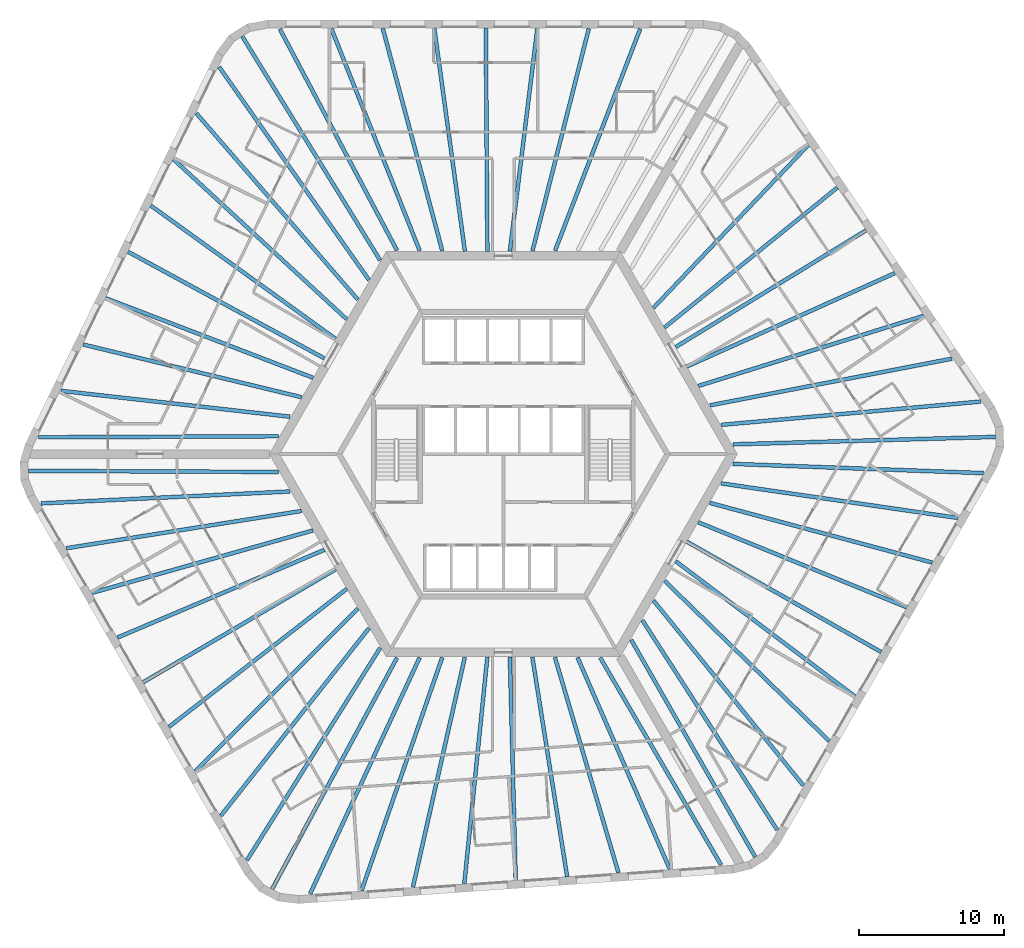
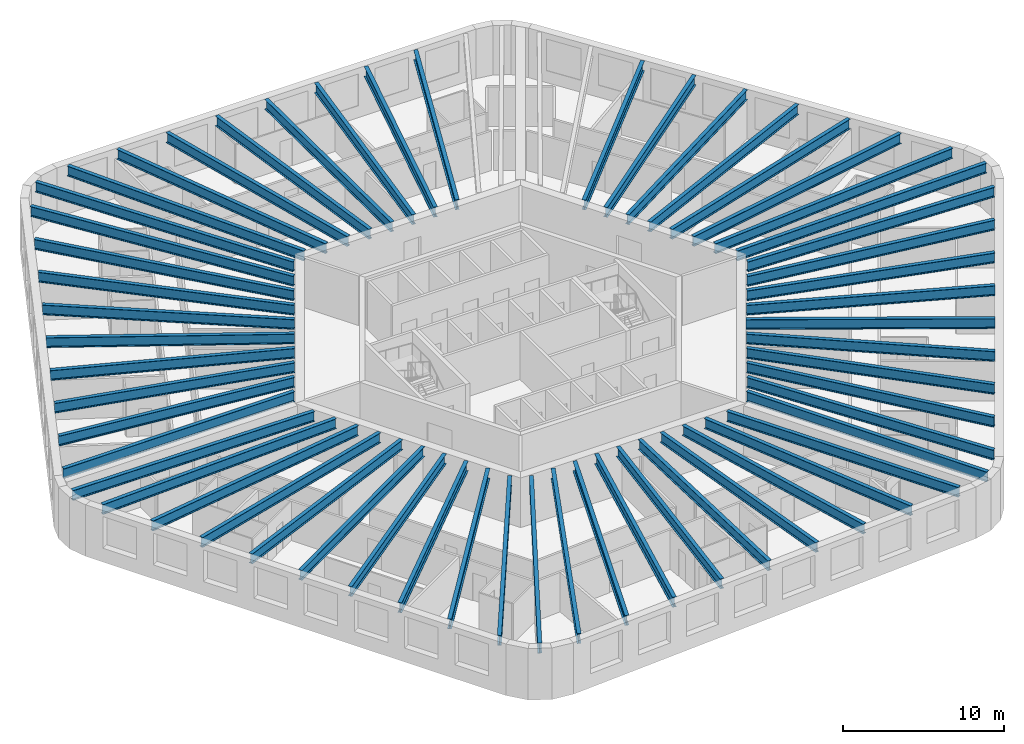
# One storey, part 1 of 11: 56 beams.
"""IFC4 building model written with IfcOpenShell, lengths in metres."""

from ifc_helpers import new_model, si_unit, direction, frame, origin, origin_2d, place, context, subcontext, project, spatial, i_section, extrude, material, material_profile, profile_set, type_object, element, save


model = new_model("IFC4")

# Units and contexts
model_context = context("Model", 3, precision=1e-05, world=origin(), true_north=direction((0.0, 1.0)))
body_context = subcontext(model_context, "Body", "Model", "MODEL_VIEW")
ifc_project = project(units=[si_unit("LENGTHUNIT", "METRE"), si_unit("AREAUNIT", "SQUARE_METRE"), si_unit("VOLUMEUNIT", "CUBIC_METRE"), si_unit("PLANEANGLEUNIT", "RADIAN"), si_unit("MASSUNIT", "GRAM", prefix="KILO")], contexts=[model_context])

# Site, building, storey
site_placement = place(None, origin())
site = spatial("IfcSite", under=ifc_project, at=site_placement, CompositionType="ELEMENT")
building_placement = place(site_placement, origin())
building = spatial("IfcBuilding", under=site, at=building_placement, Name="Tarnside Tower", CompositionType="ELEMENT")
storey_placement = place(building_placement, frame((0.0, 0.0, 107.699951171875)))
storey = spatial("IfcBuildingStorey", under=building, at=storey_placement, Name="L24", CompositionType="ELEMENT", Elevation=107.699951171875)

# Beams
ifc_material = material(Name="Steel S355", Category="steel")
ifc_material_profile_1 = material_profile(ifc_material, i_section(OverallWidth=0.26513671875, OverallDepth=0.75390625, WebThickness=0.0126953125, FlangeThickness=0.017578125, FilletRadius=0.0166015625, at=origin_2d()), Name="UB 762x267x147")
ifc_profile_set_1 = profile_set([ifc_material_profile_1], Name="Steel S355")
beam_type_1 = type_object("IfcBeamType", Name="Floor beam UB 762x267x147", PredefinedType="BEAM", material=ifc_profile_set_1)
beam_1_placement = place(storey_placement, frame((2.3525390625, 29.43017578125, 3.373046875), z_axis=(-0.122329629165, -0.992489527314, 0.0), x_axis=(0.992489527314, -0.122329629165, 0.0)))
element("IfcBeam", 1, at=beam_1_placement, inside=storey, type_object=beam_type_1, Name="Floor beam F1.04", PredefinedType="BEAM", context=body_context, shape_type="SweptSolid", body=[
    extrude(i_section(OverallWidth=0.26513671875, OverallDepth=0.75390625, WebThickness=0.0126953125, FlangeThickness=0.017578125, FilletRadius=0.0166015625, at=origin_2d()), origin(), (0.0, 0.0, 1.0), 15.527099609375),
])
beam_2_placement = place(storey_placement, frame((-1.208984375, 29.449951171875, 3.373046875), z_axis=(0.007000128723, -0.999975498799, 0.0), x_axis=(0.999975498799, 0.007000128723, 0.0)))
element("IfcBeam", 2, at=beam_2_placement, inside=storey, type_object=beam_type_1, Name="Floor beam F1.05", PredefinedType="BEAM", context=body_context, shape_type="SweptSolid", body=[
    extrude(i_section(OverallWidth=0.26513671875, OverallDepth=0.75390625, WebThickness=0.0126953125, FlangeThickness=0.017578125, FilletRadius=0.0166015625, at=origin_2d()), origin(), (0.0, 0.0, 1.0), 15.450439453125),
])
beam_3_placement = place(storey_placement, frame((-4.7705078125, 29.43017578125, 3.373046875), z_axis=(0.136000560933, -0.990708760144, 0.0), x_axis=(0.990708760144, 0.136000560933, 0.0)))
element("IfcBeam", 3, at=beam_3_placement, inside=storey, type_object=beam_type_1, Name="Floor beam F1.06", PredefinedType="BEAM", context=body_context, shape_type="SweptSolid", body=[
    extrude(i_section(OverallWidth=0.26513671875, OverallDepth=0.75390625, WebThickness=0.0126953125, FlangeThickness=0.017578125, FilletRadius=0.0166015625, at=origin_2d()), origin(), (0.0, 0.0, 1.0), 15.554931640625),
])
beam_4_placement = place(storey_placement, frame((-24.348876953125, 17.168212890625, 3.373046875), z_axis=(0.811027744825, -0.585007689799, 0.0), x_axis=(0.585007689799, 0.811027744825, 0.0)))
element("IfcBeam", 4, at=beam_4_placement, inside=storey, type_object=beam_type_1, Name="Floor beam F2.04", PredefinedType="BEAM", context=body_context, shape_type="SweptSolid", body=[
    extrude(i_section(OverallWidth=0.26513671875, OverallDepth=0.75390625, WebThickness=0.0126953125, FlangeThickness=0.017578125, FilletRadius=0.0166015625, at=origin_2d()), origin(), (0.0, 0.0, 1.0), 15.731689453125),
])
beam_5_placement = place(storey_placement, frame((-25.92626953125, 13.978271484375, 3.373046875), z_axis=(0.878894567679, -0.477016078245, 0.0), x_axis=(0.477016078245, 0.878894567679, 0.0)))
element("IfcBeam", 5, at=beam_5_placement, inside=storey, type_object=beam_type_1, Name="Floor beam F2.05", PredefinedType="BEAM", context=body_context, shape_type="SweptSolid", body=[
    extrude(i_section(OverallWidth=0.26513671875, OverallDepth=0.75390625, WebThickness=0.0126953125, FlangeThickness=0.017578125, FilletRadius=0.0166015625, at=origin_2d()), origin(), (0.0, 0.0, 1.0), 15.427490234375),
])
beam_6_placement = place(storey_placement, frame((-27.487548828125, 10.77734375, 3.373046875), z_axis=(0.933617702452, -0.358270827264, 0.0), x_axis=(0.358270827264, 0.933617702452, 0.0)))
element("IfcBeam", 6, at=beam_6_placement, inside=storey, type_object=beam_type_1, Name="Floor beam F2.06", PredefinedType="BEAM", context=body_context, shape_type="SweptSolid", body=[
    extrude(i_section(OverallWidth=0.26513671875, OverallDepth=0.75390625, WebThickness=0.0126953125, FlangeThickness=0.017578125, FilletRadius=0.0166015625, at=origin_2d()), origin(), (0.0, 0.0, 1.0), 15.363037109375),
])
beam_7_placement = place(storey_placement, frame((-29.029296875, 7.572509765625, 3.373046875), z_axis=(0.972101750991, -0.234559556873, 0.0), x_axis=(0.234559556873, 0.972101750991, 0.0)))
element("IfcBeam", 7, at=beam_7_placement, inside=storey, type_object=beam_type_1, Name="Floor beam F2.07", PredefinedType="BEAM", context=body_context, shape_type="SweptSolid", body=[
    extrude(i_section(OverallWidth=0.26513671875, OverallDepth=0.75390625, WebThickness=0.0126953125, FlangeThickness=0.017578125, FilletRadius=0.0166015625, at=origin_2d()), origin(), (0.0, 0.0, 1.0), 15.522216796875),
])
beam_8_placement = place(storey_placement, frame((-26.66357421875, -12.677734375, 3.373046875), z_axis=(0.920684021494, 0.390308765679, 0.0), x_axis=(-0.390308765679, 0.920684021494, 0.0)))
element("IfcBeam", 8, at=beam_8_placement, inside=storey, type_object=beam_type_1, Name="Floor beam F3.04", PredefinedType="BEAM", context=body_context, shape_type="SweptSolid", body=[
    extrude(i_section(OverallWidth=0.26513671875, OverallDepth=0.75390625, WebThickness=0.0126953125, FlangeThickness=0.017578125, FilletRadius=0.0166015625, at=origin_2d()), origin(), (0.0, 0.0, 1.0), 15.52685546875),
])
beam_9_placement = place(storey_placement, frame((-24.89990234375, -15.772216796875, 3.373046875), z_axis=(0.862497502004, 0.506061319443, 0.0), x_axis=(-0.506061319443, 0.862497502004, 0.0)))
element("IfcBeam", 9, at=beam_9_placement, inside=storey, type_object=beam_type_1, Name="Floor beam F3.05", PredefinedType="BEAM", context=body_context, shape_type="SweptSolid", body=[
    extrude(i_section(OverallWidth=0.26513671875, OverallDepth=0.75390625, WebThickness=0.0126953125, FlangeThickness=0.017578125, FilletRadius=0.0166015625, at=origin_2d()), origin(), (0.0, 0.0, 1.0), 15.450439453125),
])
beam_10_placement = place(storey_placement, frame((-23.10205078125, -18.846435546875, 3.373046875), z_axis=(0.789983963813, 0.613127504617, 0.0), x_axis=(-0.613127504617, 0.789983963813, 0.0)))
element("IfcBeam", 10, at=beam_10_placement, inside=storey, type_object=beam_type_1, Name="Floor beam F3.06", PredefinedType="BEAM", context=body_context, shape_type="SweptSolid", body=[
    extrude(i_section(OverallWidth=0.26513671875, OverallDepth=0.75390625, WebThickness=0.0126953125, FlangeThickness=0.017578125, FilletRadius=0.0166015625, at=origin_2d()), origin(), (0.0, 0.0, 1.0), 15.554931640625),
])
beam_11_placement = place(storey_placement, frame((-2.693603515625, -29.6708984375, 3.373046875), z_axis=(0.101123115756, 0.994873919379, 0.0), x_axis=(-0.994873919379, 0.101123115756, 0.0)))
element("IfcBeam", 11, at=beam_11_placement, inside=storey, type_object=beam_type_1, Name="Floor beam F4.04", PredefinedType="BEAM", context=body_context, shape_type="SweptSolid", body=[
    extrude(i_section(OverallWidth=0.26513671875, OverallDepth=0.75390625, WebThickness=0.0126953125, FlangeThickness=0.017578125, FilletRadius=0.0166015625, at=origin_2d()), origin(), (0.0, 0.0, 1.0), 15.7314453125),
])
beam_12_placement = place(storey_placement, frame((0.857666015625, -29.44189453125, 3.373046875), z_axis=(-0.026333316788, 0.999653218085, 0.0), x_axis=(-0.999653218085, -0.026333316788, 0.0)))
element("IfcBeam", 12, at=beam_12_placement, inside=storey, type_object=beam_type_1, Name="Floor beam F4.05", PredefinedType="BEAM", context=body_context, shape_type="SweptSolid", body=[
    extrude(i_section(OverallWidth=0.26513671875, OverallDepth=0.75390625, WebThickness=0.0126953125, FlangeThickness=0.017578125, FilletRadius=0.0166015625, at=origin_2d()), origin(), (0.0, 0.0, 1.0), 15.42724609375),
])
beam_13_placement = place(storey_placement, frame((4.41015625, -29.193603515625, 3.373046875), z_axis=(-0.156513375907, 0.98767583911, 0.0), x_axis=(-0.98767583911, -0.156513375907, 0.0)))
element("IfcBeam", 13, at=beam_13_placement, inside=storey, type_object=beam_type_1, Name="Floor beam F4.06", PredefinedType="BEAM", context=body_context, shape_type="SweptSolid", body=[
    extrude(i_section(OverallWidth=0.26513671875, OverallDepth=0.75390625, WebThickness=0.0126953125, FlangeThickness=0.017578125, FilletRadius=0.0166015625, at=origin_2d()), origin(), (0.0, 0.0, 1.0), 15.36328125),
])
beam_14_placement = place(storey_placement, frame((7.956787109375, -28.926513671875, 3.373046875), z_axis=(-0.282920694328, 0.959143305623, 0.0), x_axis=(-0.959143305623, -0.282920694328, 0.0)))
element("IfcBeam", 14, at=beam_14_placement, inside=storey, type_object=beam_type_1, Name="Floor beam F4.07", PredefinedType="BEAM", context=body_context, shape_type="SweptSolid", body=[
    extrude(i_section(OverallWidth=0.26513671875, OverallDepth=0.75390625, WebThickness=0.0126953125, FlangeThickness=0.017578125, FilletRadius=0.0166015625, at=origin_2d()), origin(), (0.0, 0.0, 1.0), 15.5224609375),
])
beam_15_placement = place(storey_placement, frame((24.31103515625, -16.75244140625, 3.373046875), z_axis=(-0.798361152727, 0.602178935049, 0.0), x_axis=(-0.602178935049, -0.798361152727, 0.0)))
element("IfcBeam", 15, at=beam_15_placement, inside=storey, type_object=beam_type_1, Name="Floor beam F5.04", PredefinedType="BEAM", context=body_context, shape_type="SweptSolid", body=[
    extrude(i_section(OverallWidth=0.26513671875, OverallDepth=0.75390625, WebThickness=0.0126953125, FlangeThickness=0.017578125, FilletRadius=0.0166015625, at=origin_2d()), origin(), (0.0, 0.0, 1.0), 15.527099609375),
])
beam_16_placement = place(storey_placement, frame((26.10888671875, -13.677978515625, 3.373046875), z_axis=(-0.869502520992, 0.493928502911, 0.0), x_axis=(-0.493928502911, -0.869502520992, 0.0)))
element("IfcBeam", 16, at=beam_16_placement, inside=storey, type_object=beam_type_1, Name="Floor beam F5.05", PredefinedType="BEAM", context=body_context, shape_type="SweptSolid", body=[
    extrude(i_section(OverallWidth=0.26513671875, OverallDepth=0.75390625, WebThickness=0.0126953125, FlangeThickness=0.017578125, FilletRadius=0.0166015625, at=origin_2d()), origin(), (0.0, 0.0, 1.0), 15.4501953125),
])
beam_17_placement = place(storey_placement, frame((27.87255859375, -10.58349609375, 3.373046875), z_axis=(-0.925981621163, 0.377568586177, 0.0), x_axis=(-0.377568586177, -0.925981621163, 0.0)))
element("IfcBeam", 17, at=beam_17_placement, inside=storey, type_object=beam_type_1, Name="Floor beam F5.06", PredefinedType="BEAM", context=body_context, shape_type="SweptSolid", body=[
    extrude(i_section(OverallWidth=0.26513671875, OverallDepth=0.75390625, WebThickness=0.0126953125, FlangeThickness=0.017578125, FilletRadius=0.0166015625, at=origin_2d()), origin(), (0.0, 0.0, 1.0), 15.554931640625),
])
beam_18_placement = place(storey_placement, frame((27.04248046875, 12.502685546875, 3.373046875), z_axis=(-0.912146413919, -0.409864513681, 0.0), x_axis=(0.409864513681, -0.912146413919, 0.0)))
element("IfcBeam", 18, at=beam_18_placement, inside=storey, type_object=beam_type_1, Name="Floor beam F6.04", PredefinedType="BEAM", context=body_context, shape_type="SweptSolid", body=[
    extrude(i_section(OverallWidth=0.26513671875, OverallDepth=0.75390625, WebThickness=0.0126953125, FlangeThickness=0.017578125, FilletRadius=0.0166015625, at=origin_2d()), origin(), (0.0, 0.0, 1.0), 15.7314453125),
])
beam_19_placement = place(storey_placement, frame((25.068603515625, 15.463623046875, 3.373046875), z_axis=(-0.852558490017, -0.522631821744, 0.0), x_axis=(0.522631821744, -0.852558490017, 0.0)))
element("IfcBeam", 19, at=beam_19_placement, inside=storey, type_object=beam_type_1, Name="Floor beam F6.05", PredefinedType="BEAM", context=body_context, shape_type="SweptSolid", body=[
    extrude(i_section(OverallWidth=0.26513671875, OverallDepth=0.75390625, WebThickness=0.0126953125, FlangeThickness=0.017578125, FilletRadius=0.0166015625, at=origin_2d()), origin(), (0.0, 0.0, 1.0), 15.42724609375),
])
beam_20_placement = place(storey_placement, frame((23.0771484375, 18.416259765625, 3.373046875), z_axis=(-0.777079423039, -0.629402550272, 0.0), x_axis=(0.629402550272, -0.777079423039, 0.0)))
element("IfcBeam", 20, at=beam_20_placement, inside=storey, type_object=beam_type_1, Name="Floor beam F6.06", PredefinedType="BEAM", context=body_context, shape_type="SweptSolid", body=[
    extrude(i_section(OverallWidth=0.26513671875, OverallDepth=0.75390625, WebThickness=0.0126953125, FlangeThickness=0.017578125, FilletRadius=0.0166015625, at=origin_2d()), origin(), (0.0, 0.0, 1.0), 15.36328125),
])
beam_21_placement = place(storey_placement, frame((21.072509765625, 21.35400390625, 3.373046875), z_axis=(-0.689174694318, -0.724595225427, 0.0), x_axis=(0.724595225427, -0.689174694318, 0.0)))
element("IfcBeam", 21, at=beam_21_placement, inside=storey, type_object=beam_type_1, Name="Floor beam F6.07", PredefinedType="BEAM", context=body_context, shape_type="SweptSolid", body=[
    extrude(i_section(OverallWidth=0.26513671875, OverallDepth=0.75390625, WebThickness=0.0126953125, FlangeThickness=0.017578125, FilletRadius=0.0166015625, at=origin_2d()), origin(), (0.0, 0.0, 1.0), 15.522216796875),
])
ifc_material_profile_2 = material_profile(ifc_material, i_section(OverallWidth=0.2666015625, OverallDepth=0.76220703125, WebThickness=0.014404296875, FlangeThickness=0.021484375, FilletRadius=0.0166015625, at=origin_2d()), Name="UB 762x267x173")
ifc_profile_set_2 = profile_set([ifc_material_profile_2], Name="Steel S355")
beam_type_2 = type_object("IfcBeamType", Name="Floor beam UB 762x267x173", PredefinedType="BEAM", material=ifc_profile_set_2)
beam_22_placement = place(storey_placement, frame((9.4619140625, 29.39404296875, 3.368896484375), z_axis=(-0.358299847269, -0.933606565662, 0.0), x_axis=(0.933606565662, -0.358299847269, 0.0)))
element("IfcBeam", 22, at=beam_22_placement, inside=storey, type_object=beam_type_2, Name="Floor beam F1.02", PredefinedType="BEAM", context=body_context, shape_type="SweptSolid", body=[
    extrude(i_section(OverallWidth=0.2666015625, OverallDepth=0.76220703125, WebThickness=0.014404296875, FlangeThickness=0.021484375, FilletRadius=0.0166015625, at=origin_2d()), origin(), (0.0, 0.0, 1.0), 16.428955078125),
])
beam_23_placement = place(storey_placement, frame((5.909423828125, 29.4111328125, 3.368896484375), z_axis=(-0.245747281389, -0.969333933013, 0.0), x_axis=(0.969333933013, -0.245747281389, 0.0)))
element("IfcBeam", 23, at=beam_23_placement, inside=storey, type_object=beam_type_2, Name="Floor beam F1.03", PredefinedType="BEAM", context=body_context, shape_type="SweptSolid", body=[
    extrude(i_section(OverallWidth=0.2666015625, OverallDepth=0.76220703125, WebThickness=0.014404296875, FlangeThickness=0.021484375, FilletRadius=0.0166015625, at=origin_2d()), origin(), (0.0, 0.0, 1.0), 15.858642578125),
])
beam_24_placement = place(storey_placement, frame((-8.3271484375, 29.411376953125, 3.368896484375), z_axis=(0.258447478572, -0.966025310652, 0.0), x_axis=(0.966025310652, 0.258447478572, 0.0)))
element("IfcBeam", 24, at=beam_24_placement, inside=storey, type_object=beam_type_2, Name="Floor beam F1.07", PredefinedType="BEAM", context=body_context, shape_type="SweptSolid", body=[
    extrude(i_section(OverallWidth=0.2666015625, OverallDepth=0.76220703125, WebThickness=0.014404296875, FlangeThickness=0.021484375, FilletRadius=0.0166015625, at=origin_2d()), origin(), (0.0, 0.0, 1.0), 15.91357421875),
])
beam_25_placement = place(storey_placement, frame((-11.87939453125, 29.394287109375, 3.368896484375), z_axis=(0.369638204477, -0.929175762593, 0.0), x_axis=(0.929175762593, 0.369638204477, 0.0)))
element("IfcBeam", 25, at=beam_25_placement, inside=storey, type_object=beam_type_2, Name="Floor beam F1.08", PredefinedType="BEAM", context=body_context, shape_type="SweptSolid", body=[
    extrude(i_section(OverallWidth=0.2666015625, OverallDepth=0.76220703125, WebThickness=0.014404296875, FlangeThickness=0.021484375, FilletRadius=0.0166015625, at=origin_2d()), origin(), (0.0, 0.0, 1.0), 16.507568359375),
])
beam_26_placement = place(storey_placement, frame((-15.44580078125, 29.37939453125, 3.368896484375), z_axis=(0.467741993634, -0.883865050441, 0.0), x_axis=(0.883865050441, 0.467741993634, 0.0)))
element("IfcBeam", 26, at=beam_26_placement, inside=storey, type_object=beam_type_2, Name="Floor beam F1.09", PredefinedType="BEAM", context=body_context, shape_type="SweptSolid", body=[
    extrude(i_section(OverallWidth=0.2666015625, OverallDepth=0.76220703125, WebThickness=0.014404296875, FlangeThickness=0.021484375, FilletRadius=0.0166015625, at=origin_2d()), origin(), (0.0, 0.0, 1.0), 17.320068359375),
])
beam_27_placement = place(storey_placement, frame((-18.042236328125, 28.8701171875, 3.368896484375), z_axis=(0.524382977035, -0.851482526771, 0.0), x_axis=(0.851482526771, 0.524382977035, 0.0)))
element("IfcBeam", 27, at=beam_27_placement, inside=storey, type_object=beam_type_2, Name="Floor beam C1", PredefinedType="BEAM", context=body_context, shape_type="SweptSolid", body=[
    extrude(i_section(OverallWidth=0.2666015625, OverallDepth=0.76220703125, WebThickness=0.014404296875, FlangeThickness=0.021484375, FilletRadius=0.0166015625, at=origin_2d()), origin(), (0.0, 0.0, 1.0), 18.1728515625),
])
beam_28_placement = place(storey_placement, frame((-19.638671875, 26.75537109375, 3.368896484375), z_axis=(0.575411427849, -0.817864101609, 0.0), x_axis=(0.817864101609, 0.575411427849, 0.0)))
element("IfcBeam", 28, at=beam_28_placement, inside=storey, type_object=beam_type_2, Name="Floor beam F2.01", PredefinedType="BEAM", context=body_context, shape_type="SweptSolid", body=[
    extrude(i_section(OverallWidth=0.2666015625, OverallDepth=0.76220703125, WebThickness=0.014404296875, FlangeThickness=0.021484375, FilletRadius=0.0166015625, at=origin_2d()), origin(), (0.0, 0.0, 1.0), 18.00048828125),
])
beam_29_placement = place(storey_placement, frame((-21.21630859375, 23.554931640625, 3.368896484375), z_axis=(0.654980748073, -0.755645564834, 0.0), x_axis=(0.755645564834, 0.654980748073, 0.0)))
element("IfcBeam", 29, at=beam_29_placement, inside=storey, type_object=beam_type_2, Name="Floor beam F2.02", PredefinedType="BEAM", context=body_context, shape_type="SweptSolid", body=[
    extrude(i_section(OverallWidth=0.2666015625, OverallDepth=0.76220703125, WebThickness=0.014404296875, FlangeThickness=0.021484375, FilletRadius=0.0166015625, at=origin_2d()), origin(), (0.0, 0.0, 1.0), 17.0302734375),
])
beam_30_placement = place(storey_placement, frame((-22.7890625, 20.368408203125, 3.368896484375), z_axis=(0.734715474517, -0.678375391288, 0.0), x_axis=(0.678375391288, 0.734715474517, 0.0)))
element("IfcBeam", 30, at=beam_30_placement, inside=storey, type_object=beam_type_2, Name="Floor beam F2.03", PredefinedType="BEAM", context=body_context, shape_type="SweptSolid", body=[
    extrude(i_section(OverallWidth=0.2666015625, OverallDepth=0.76220703125, WebThickness=0.014404296875, FlangeThickness=0.021484375, FilletRadius=0.0166015625, at=origin_2d()), origin(), (0.0, 0.0, 1.0), 16.2802734375),
])
beam_31_placement = place(storey_placement, frame((-30.570556640625, 4.372802734375, 3.368896484375), z_axis=(0.993687302776, -0.112185312326, 0.0), x_axis=(0.112185312326, 0.993687302776, 0.0)))
element("IfcBeam", 31, at=beam_31_placement, inside=storey, type_object=beam_type_2, Name="Floor beam F2.08", PredefinedType="BEAM", context=body_context, shape_type="SweptSolid", body=[
    extrude(i_section(OverallWidth=0.2666015625, OverallDepth=0.76220703125, WebThickness=0.014404296875, FlangeThickness=0.021484375, FilletRadius=0.0166015625, at=origin_2d()), origin(), (0.0, 0.0, 1.0), 15.934326171875),
])
beam_32_placement = place(storey_placement, frame((-32.119384765625, 1.162109375, 3.368896484375), z_axis=(0.999990508787, 0.004356872304, 0.0), x_axis=(-0.004356872304, 0.999990508787, 0.0)))
element("IfcBeam", 32, at=beam_32_placement, inside=storey, type_object=beam_type_2, Name="Floor beam F2.09", PredefinedType="BEAM", context=body_context, shape_type="SweptSolid", body=[
    extrude(i_section(OverallWidth=0.2666015625, OverallDepth=0.76220703125, WebThickness=0.014404296875, FlangeThickness=0.021484375, FilletRadius=0.0166015625, at=origin_2d()), origin(), (0.0, 0.0, 1.0), 16.586669921875),
])
beam_33_placement = place(storey_placement, frame((-32.80712890625, -1.1572265625, 3.368896484375), z_axis=(0.999990027056, -0.004466070929, 0.0), x_axis=(0.004466070929, 0.999990027056, 0.0)))
element("IfcBeam", 33, at=beam_33_placement, inside=storey, type_object=beam_type_2, Name="Floor beam C2", PredefinedType="BEAM", context=body_context, shape_type="SweptSolid", body=[
    extrude(i_section(OverallWidth=0.2666015625, OverallDepth=0.76220703125, WebThickness=0.014404296875, FlangeThickness=0.021484375, FilletRadius=0.0166015625, at=origin_2d()), origin(), (0.0, 0.0, 1.0), 17.2744140625),
])
beam_34_placement = place(storey_placement, frame((-31.95703125, -3.406494140625, 3.368896484375), z_axis=(0.998853818522, 0.047864905982, 0.0), x_axis=(-0.047864905982, 0.998853818522, 0.0)))
element("IfcBeam", 34, at=beam_34_placement, inside=storey, type_object=beam_type_2, Name="Floor beam F3.01", PredefinedType="BEAM", context=body_context, shape_type="SweptSolid", body=[
    extrude(i_section(OverallWidth=0.2666015625, OverallDepth=0.76220703125, WebThickness=0.014404296875, FlangeThickness=0.021484375, FilletRadius=0.0166015625, at=origin_2d()), origin(), (0.0, 0.0, 1.0), 17.2197265625),
])
beam_35_placement = place(storey_placement, frame((-30.18701171875, -6.502685546875, 3.368896484375), z_axis=(0.987678477078, 0.156496728136, 0.0), x_axis=(-0.156496728136, 0.987678477078, 0.0)))
element("IfcBeam", 35, at=beam_35_placement, inside=storey, type_object=beam_type_2, Name="Floor beam F3.02", PredefinedType="BEAM", context=body_context, shape_type="SweptSolid", body=[
    extrude(i_section(OverallWidth=0.2666015625, OverallDepth=0.76220703125, WebThickness=0.014404296875, FlangeThickness=0.021484375, FilletRadius=0.0166015625, at=origin_2d()), origin(), (0.0, 0.0, 1.0), 16.4287109375),
])
beam_36_placement = place(storey_placement, frame((-28.425537109375, -9.587890625, 3.368896484375), z_axis=(0.962342240503, 0.271840784547, 0.0), x_axis=(-0.271840784547, 0.962342240503, 0.0)))
element("IfcBeam", 36, at=beam_36_placement, inside=storey, type_object=beam_type_2, Name="Floor beam F3.03", PredefinedType="BEAM", context=body_context, shape_type="SweptSolid", body=[
    extrude(i_section(OverallWidth=0.2666015625, OverallDepth=0.76220703125, WebThickness=0.014404296875, FlangeThickness=0.021484375, FilletRadius=0.0166015625, at=origin_2d()), origin(), (0.0, 0.0, 1.0), 15.858642578125),
])
beam_37_placement = place(storey_placement, frame((-21.307373046875, -21.917236328125, 3.368896484375), z_axis=(0.707367544857, 0.706845921318, 0.0), x_axis=(-0.706845921318, 0.707367544857, 0.0)))
element("IfcBeam", 37, at=beam_37_placement, inside=storey, type_object=beam_type_2, Name="Floor beam F3.07", PredefinedType="BEAM", context=body_context, shape_type="SweptSolid", body=[
    extrude(i_section(OverallWidth=0.2666015625, OverallDepth=0.76220703125, WebThickness=0.014404296875, FlangeThickness=0.021484375, FilletRadius=0.0166015625, at=origin_2d()), origin(), (0.0, 0.0, 1.0), 15.913330078125),
])
beam_38_placement = place(storey_placement, frame((-19.516357421875, -24.985107421875, 3.368896484375), z_axis=(0.619872995007, 0.784702153725, 0.0), x_axis=(-0.784702153725, 0.619872995007, 0.0)))
element("IfcBeam", 38, at=beam_38_placement, inside=storey, type_object=beam_type_2, Name="Floor beam F3.08", PredefinedType="BEAM", context=body_context, shape_type="SweptSolid", body=[
    extrude(i_section(OverallWidth=0.2666015625, OverallDepth=0.76220703125, WebThickness=0.014404296875, FlangeThickness=0.021484375, FilletRadius=0.0166015625, at=origin_2d()), origin(), (0.0, 0.0, 1.0), 16.507568359375),
])
beam_39_placement = place(storey_placement, frame((-17.72021484375, -28.066162109375, 3.368896484375), z_axis=(0.531583085704, 0.847006152866, 0.0), x_axis=(-0.847006152866, 0.531583085704, 0.0)))
element("IfcBeam", 39, at=beam_39_placement, inside=storey, type_object=beam_type_2, Name="Floor beam F3.09", PredefinedType="BEAM", context=body_context, shape_type="SweptSolid", body=[
    extrude(i_section(OverallWidth=0.2666015625, OverallDepth=0.76220703125, WebThickness=0.014404296875, FlangeThickness=0.021484375, FilletRadius=0.0166015625, at=origin_2d()), origin(), (0.0, 0.0, 1.0), 17.320068359375),
])
beam_40_placement = place(storey_placement, frame((-15.981201171875, -30.060302734375, 3.368896484375), z_axis=(0.475208200571, 0.879873380726, 0.0), x_axis=(-0.879873380726, 0.475208200571, 0.0)))
element("IfcBeam", 40, at=beam_40_placement, inside=storey, type_object=beam_type_2, Name="Floor beam C3", PredefinedType="BEAM", context=body_context, shape_type="SweptSolid", body=[
    extrude(i_section(OverallWidth=0.2666015625, OverallDepth=0.76220703125, WebThickness=0.014404296875, FlangeThickness=0.021484375, FilletRadius=0.0166015625, at=origin_2d()), origin(), (0.0, 0.0, 1.0), 18.173095703125),
])
beam_41_placement = place(storey_placement, frame((-13.3515625, -30.38525390625, 3.368896484375), z_axis=(0.42059199668, 0.907249895193, 0.0), x_axis=(-0.907249895193, 0.42059199668, 0.0)))
element("IfcBeam", 41, at=beam_41_placement, inside=storey, type_object=beam_type_2, Name="Floor beam F4.01", PredefinedType="BEAM", context=body_context, shape_type="SweptSolid", body=[
    extrude(i_section(OverallWidth=0.2666015625, OverallDepth=0.76220703125, WebThickness=0.014404296875, FlangeThickness=0.021484375, FilletRadius=0.0166015625, at=origin_2d()), origin(), (0.0, 0.0, 1.0), 18.000244140625),
])
beam_42_placement = place(storey_placement, frame((-9.791015625, -30.151123046875, 3.368896484375), z_axis=(0.326912128872, 0.945054739153, 0.0), x_axis=(-0.945054739153, 0.326912128872, 0.0)))
element("IfcBeam", 42, at=beam_42_placement, inside=storey, type_object=beam_type_2, Name="Floor beam F4.02", PredefinedType="BEAM", context=body_context, shape_type="SweptSolid", body=[
    extrude(i_section(OverallWidth=0.2666015625, OverallDepth=0.76220703125, WebThickness=0.014404296875, FlangeThickness=0.021484375, FilletRadius=0.0166015625, at=origin_2d()), origin(), (0.0, 0.0, 1.0), 17.0302734375),
])
beam_43_placement = place(storey_placement, frame((-6.2451171875, -29.920166015625, 3.368896484375), z_axis=(0.220139818673, 0.975468328668, 0.0), x_axis=(-0.975468328668, 0.220139818673, 0.0)))
element("IfcBeam", 43, at=beam_43_placement, inside=storey, type_object=beam_type_2, Name="Floor beam F4.03", PredefinedType="BEAM", context=body_context, shape_type="SweptSolid", body=[
    extrude(i_section(OverallWidth=0.2666015625, OverallDepth=0.76220703125, WebThickness=0.014404296875, FlangeThickness=0.021484375, FilletRadius=0.0166015625, at=origin_2d()), origin(), (0.0, 0.0, 1.0), 16.280517578125),
])
beam_44_placement = place(storey_placement, frame((11.498291015625, -28.6611328125, 3.368896484375), z_axis=(-0.399695682658, 0.916647893831, 0.0), x_axis=(-0.916647893831, -0.399695682658, 0.0)))
element("IfcBeam", 44, at=beam_44_placement, inside=storey, type_object=beam_type_2, Name="Floor beam F4.08", PredefinedType="BEAM", context=body_context, shape_type="SweptSolid", body=[
    extrude(i_section(OverallWidth=0.2666015625, OverallDepth=0.76220703125, WebThickness=0.014404296875, FlangeThickness=0.021484375, FilletRadius=0.0166015625, at=origin_2d()), origin(), (0.0, 0.0, 1.0), 15.934326171875),
])
beam_45_placement = place(storey_placement, frame((15.05322265625, -28.3974609375, 3.368896484375), z_axis=(-0.503758455062, 0.86384455717, 0.0), x_axis=(-0.86384455717, -0.503758455062, 0.0)))
element("IfcBeam", 45, at=beam_45_placement, inside=storey, type_object=beam_type_2, Name="Floor beam F4.09", PredefinedType="BEAM", context=body_context, shape_type="SweptSolid", body=[
    extrude(i_section(OverallWidth=0.2666015625, OverallDepth=0.76220703125, WebThickness=0.014404296875, FlangeThickness=0.021484375, FilletRadius=0.0166015625, at=origin_2d()), origin(), (0.0, 0.0, 1.0), 16.586669921875),
])
beam_46_placement = place(storey_placement, frame((17.40576171875, -27.833251953125, 3.368896484375), z_axis=(-0.496126762138, 0.868250099851, 0.0), x_axis=(-0.868250099851, -0.496126762138, 0.0)))
element("IfcBeam", 46, at=beam_46_placement, inside=storey, type_object=beam_type_2, Name="Floor beam C4", PredefinedType="BEAM", context=body_context, shape_type="SweptSolid", body=[
    extrude(i_section(OverallWidth=0.2666015625, OverallDepth=0.76220703125, WebThickness=0.014404296875, FlangeThickness=0.021484375, FilletRadius=0.0166015625, at=origin_2d()), origin(), (0.0, 0.0, 1.0), 17.2744140625),
])
beam_47_placement = place(storey_placement, frame((18.9287109375, -25.972412109375, 3.368896484375), z_axis=(-0.540872954463, 0.841104302171, 0.0), x_axis=(-0.841104302171, -0.540872954463, 0.0)))
element("IfcBeam", 47, at=beam_47_placement, inside=storey, type_object=beam_type_2, Name="Floor beam F5.01", PredefinedType="BEAM", context=body_context, shape_type="SweptSolid", body=[
    extrude(i_section(OverallWidth=0.2666015625, OverallDepth=0.76220703125, WebThickness=0.014404296875, FlangeThickness=0.021484375, FilletRadius=0.0166015625, at=origin_2d()), origin(), (0.0, 0.0, 1.0), 17.2197265625),
])
beam_48_placement = place(storey_placement, frame((20.72509765625, -22.89111328125, 3.368896484375), z_axis=(-0.62939015525, 0.777089462336, 0.0), x_axis=(-0.777089462336, -0.62939015525, 0.0)))
element("IfcBeam", 48, at=beam_48_placement, inside=storey, type_object=beam_type_2, Name="Floor beam F5.02", PredefinedType="BEAM", context=body_context, shape_type="SweptSolid", body=[
    extrude(i_section(OverallWidth=0.2666015625, OverallDepth=0.76220703125, WebThickness=0.014404296875, FlangeThickness=0.021484375, FilletRadius=0.0166015625, at=origin_2d()), origin(), (0.0, 0.0, 1.0), 16.4287109375),
])
beam_49_placement = place(storey_placement, frame((22.51611328125, -19.8232421875, 3.368896484375), z_axis=(-0.716594696052, 0.697489814686, 0.0), x_axis=(-0.697489814686, -0.716594696052, 0.0)))
element("IfcBeam", 49, at=beam_49_placement, inside=storey, type_object=beam_type_2, Name="Floor beam F5.03", PredefinedType="BEAM", context=body_context, shape_type="SweptSolid", body=[
    extrude(i_section(OverallWidth=0.2666015625, OverallDepth=0.76220703125, WebThickness=0.014404296875, FlangeThickness=0.021484375, FilletRadius=0.0166015625, at=origin_2d()), origin(), (0.0, 0.0, 1.0), 15.858642578125),
])
beam_50_placement = place(storey_placement, frame((29.634521484375, -7.494140625, 3.368896484375), z_axis=(-0.965827851395, 0.259184415946, 0.0), x_axis=(-0.259184415946, -0.965827851395, 0.0)))
element("IfcBeam", 50, at=beam_50_placement, inside=storey, type_object=beam_type_2, Name="Floor beam F5.07", PredefinedType="BEAM", context=body_context, shape_type="SweptSolid", body=[
    extrude(i_section(OverallWidth=0.2666015625, OverallDepth=0.76220703125, WebThickness=0.014404296875, FlangeThickness=0.021484375, FilletRadius=0.0166015625, at=origin_2d()), origin(), (0.0, 0.0, 1.0), 15.913330078125),
])
beam_51_placement = place(storey_placement, frame((31.39599609375, -4.4091796875, 3.368896484375), z_axis=(-0.989507887412, 0.144478859177, 0.0), x_axis=(-0.144478859177, -0.989507887412, 0.0)))
element("IfcBeam", 51, at=beam_51_placement, inside=storey, type_object=beam_type_2, Name="Floor beam F5.08", PredefinedType="BEAM", context=body_context, shape_type="SweptSolid", body=[
    extrude(i_section(OverallWidth=0.2666015625, OverallDepth=0.76220703125, WebThickness=0.014404296875, FlangeThickness=0.021484375, FilletRadius=0.0166015625, at=origin_2d()), origin(), (0.0, 0.0, 1.0), 16.507568359375),
])
beam_52_placement = place(storey_placement, frame((33.166259765625, -1.31298828125, 3.368896484375), z_axis=(-0.999320941149, 0.036846391708, 0.0), x_axis=(-0.036846391708, -0.999320941149, 0.0)))
element("IfcBeam", 52, at=beam_52_placement, inside=storey, type_object=beam_type_2, Name="Floor beam F5.09", PredefinedType="BEAM", context=body_context, shape_type="SweptSolid", body=[
    extrude(i_section(OverallWidth=0.2666015625, OverallDepth=0.76220703125, WebThickness=0.014404296875, FlangeThickness=0.021484375, FilletRadius=0.0166015625, at=origin_2d()), origin(), (0.0, 0.0, 1.0), 17.320068359375),
])
beam_53_placement = place(storey_placement, frame((34.0234375, 1.18994140625, 3.368896484375), z_axis=(-0.999597013499, -0.028386803343, 0.0), x_axis=(0.028386803343, -0.999597013499, 0.0)))
element("IfcBeam", 53, at=beam_53_placement, inside=storey, type_object=beam_type_2, Name="Floor beam C5", PredefinedType="BEAM", context=body_context, shape_type="SweptSolid", body=[
    extrude(i_section(OverallWidth=0.2666015625, OverallDepth=0.76220703125, WebThickness=0.014404296875, FlangeThickness=0.021484375, FilletRadius=0.0166015625, at=origin_2d()), origin(), (0.0, 0.0, 1.0), 18.1728515625),
])
beam_54_placement = place(storey_placement, frame((32.990234375, 3.6298828125, 3.368896484375), z_axis=(-0.995997485142, -0.089381259731, 0.0), x_axis=(0.089381259731, -0.995997485142, 0.0)))
element("IfcBeam", 54, at=beam_54_placement, inside=storey, type_object=beam_type_2, Name="Floor beam F6.01", PredefinedType="BEAM", context=body_context, shape_type="SweptSolid", body=[
    extrude(i_section(OverallWidth=0.2666015625, OverallDepth=0.76220703125, WebThickness=0.014404296875, FlangeThickness=0.021484375, FilletRadius=0.0166015625, at=origin_2d()), origin(), (0.0, 0.0, 1.0), 18.000244140625),
])
beam_55_placement = place(storey_placement, frame((31.007080078125, 6.596435546875, 3.368896484375), z_axis=(-0.981896564922, -0.189417886679, 0.0), x_axis=(0.189417886679, -0.981896564922, 0.0)))
element("IfcBeam", 55, at=beam_55_placement, inside=storey, type_object=beam_type_2, Name="Floor beam F6.02", PredefinedType="BEAM", context=body_context, shape_type="SweptSolid", body=[
    extrude(i_section(OverallWidth=0.2666015625, OverallDepth=0.76220703125, WebThickness=0.014404296875, FlangeThickness=0.021484375, FilletRadius=0.0166015625, at=origin_2d()), origin(), (0.0, 0.0, 1.0), 17.0302734375),
])
beam_56_placement = place(storey_placement, frame((29.0341796875, 9.5517578125, 3.368896484375), z_axis=(-0.954846945108, -0.297098151152, 0.0), x_axis=(0.297098151152, -0.954846945108, 0.0)))
element("IfcBeam", 56, at=beam_56_placement, inside=storey, type_object=beam_type_2, Name="Floor beam F6.03", PredefinedType="BEAM", context=body_context, shape_type="SweptSolid", body=[
    extrude(i_section(OverallWidth=0.2666015625, OverallDepth=0.76220703125, WebThickness=0.014404296875, FlangeThickness=0.021484375, FilletRadius=0.0166015625, at=origin_2d()), origin(), (0.0, 0.0, 1.0), 16.280517578125),
])

save(model, "model.ifc")
